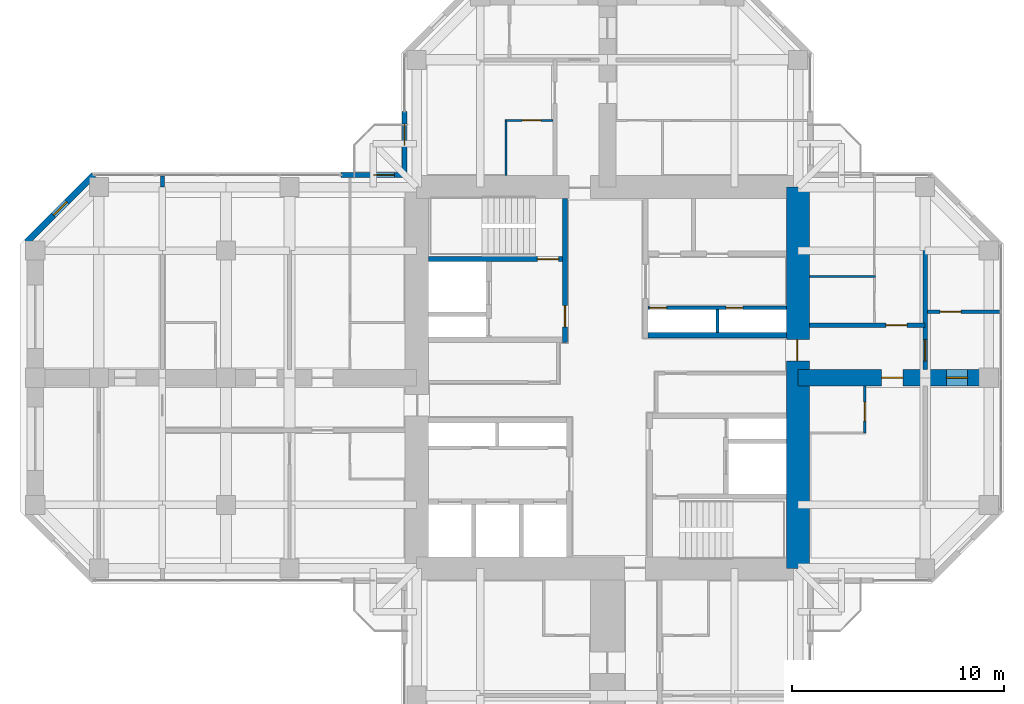
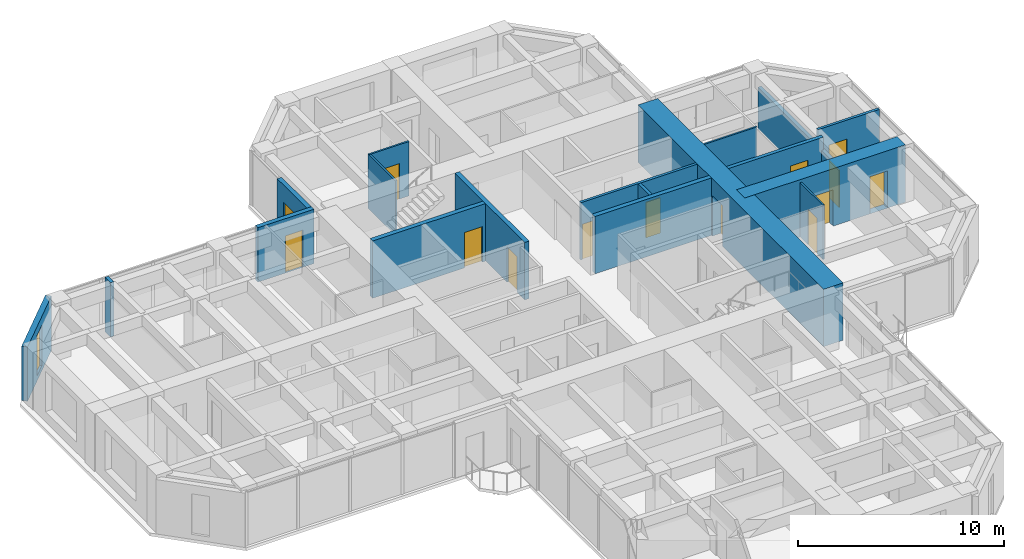
# One storey, part 11 of 14: 18 walls, 14 doors, 1 window, 15 openings.
"""IFC4 building model written with IfcOpenShell, lengths in metres."""

import ifcopenshell
import ifcopenshell.guid

model = None  # the IFC model being written
_history = None  # IfcOwnerHistory: only IFC2X3 demands one
_inside = {}  # id of a spatial element -> (the spatial element, [elements in it])
_under = {}  # id of a project, library or spatial element -> (it, [spatial elements below it])
_declared = {}  # id of a project -> (the project, [libraries it declares])
_typed = {}  # id of a type object -> (the type object, [elements of that type])
_made_of = {}  # id of a material, layer set ... -> (it, [elements and type objects made of it])


def new_model(schema):
    """Start an empty IFC model of exactly this schema.

    Asked for "IFC4X3", IfcOpenShell would pick the latest addendum, in which some entities
    have other attributes; the version numbers below select the first issue.
    IFC2X3 requires an IfcOwnerHistory on every rooted entity: one is made here for all.
    """
    global model, _history
    if schema == "IFC4X3":
        model = ifcopenshell.file(schema_version=(4, 3, 0, 0))
    else:
        model = ifcopenshell.file(schema=schema)
    _inside.clear()
    _under.clear()
    _declared.clear()
    _typed.clear()
    _made_of.clear()
    _history = None
    if model.schema == "IFC2X3":
        org = make("IfcOrganization", Name="unknown")
        user = make(
            "IfcPersonAndOrganization",
            ThePerson=make("IfcPerson", FamilyName="unknown"),
            TheOrganization=org,
        )
        app = make(
            "IfcApplication",
            ApplicationDeveloper=org,
            Version="unknown",
            ApplicationFullName="unknown",
            ApplicationIdentifier="unknown",
        )
        _history = make(
            "IfcOwnerHistory",
            OwningUser=user,
            OwningApplication=app,
            ChangeAction="ADDED",
            CreationDate=0,
        )
    return model


def make(cls, **values):
    """One entity of the class cls with the attributes given. An attribute that is None is left unset."""
    return model.create_entity(
        cls, **{name: value for name, value in values.items() if value is not None}
    )


def rooted(cls, **values):
    """An entity with a GlobalId (a new one), such as an element, a storey or a relation."""
    return make(cls, GlobalId=ifcopenshell.guid.new(), OwnerHistory=_history, **values)


def si_unit(unit_type, name, prefix=None):
    """IfcSIUnit, for example si_unit("LENGTHUNIT", "METRE", prefix="MILLI")."""
    return make("IfcSIUnit", UnitType=unit_type, Prefix=prefix, Name=name)


def assignment(units):
    """IfcUnitAssignment: the units of a project."""
    return None if units is None else make("IfcUnitAssignment", Units=units)


def point(xyz):
    """IfcCartesianPoint."""
    return None if xyz is None else make("IfcCartesianPoint", Coordinates=xyz)


def direction(xyz):
    """IfcDirection."""
    return None if xyz is None else make("IfcDirection", DirectionRatios=xyz)


def frame(location, z_axis=None, x_axis=None):
    """IfcAxis2Placement3D, a coordinate frame: its origin and axes. An axis left out is left unset."""
    return make(
        "IfcAxis2Placement3D",
        Location=point(location),
        Axis=direction(z_axis),
        RefDirection=direction(x_axis),
    )


def frame_2d(location, x_axis=None):
    """IfcAxis2Placement2D, a coordinate frame in the plane: its origin and x axis."""
    return make(
        "IfcAxis2Placement2D", Location=point(location), RefDirection=direction(x_axis)
    )


def origin():
    """The frame at (0, 0, 0) with its axes left unset."""
    return frame((0.0, 0.0, 0.0))


def place(relative_to, where):
    """IfcLocalPlacement: puts the frame where relative to a parent placement (None: the world)."""
    return make(
        "IfcLocalPlacement", PlacementRelTo=relative_to, RelativePlacement=where
    )


def context(
    kind, dimensions, precision=None, world=None, true_north=None, identifier=None
):
    """IfcGeometricRepresentationContext, for example the 3D "Model" context."""
    return make(
        "IfcGeometricRepresentationContext",
        ContextIdentifier=identifier,
        ContextType=kind,
        CoordinateSpaceDimension=dimensions,
        Precision=precision,
        WorldCoordinateSystem=world,
        TrueNorth=true_north,
    )


def subcontext(parent, identifier, kind, view, scale=None):
    """IfcGeometricRepresentationSubContext, for example "Body" below "Model"."""
    return make(
        "IfcGeometricRepresentationSubContext",
        ContextIdentifier=identifier,
        ContextType=kind,
        ParentContext=parent,
        TargetScale=scale,
        TargetView=view,
    )


def project(units=None, contexts=None):
    """IfcProject with its units and contexts."""
    return rooted(
        "IfcProject",
        Name="project",
        RepresentationContexts=contexts,
        UnitsInContext=assignment(units),
    )


def spatial(cls, under=None, at=None, **own):
    """A site, building, storey or space (cls), placed at a placement, below another one or the project."""
    s = rooted(cls, ObjectPlacement=at, **own)
    if under is not None:
        _under.setdefault(under.id(), (under, []))[1].append(s)
    return s


def profile(cls, at=None, kind="AREA", **sizes):
    """A parametric profile (cls). Its sizes go by their IFC names, for example OverallWidth=200.0."""
    return make(cls, ProfileType=kind, Position=at, **sizes)


def rectangle(**sizes):
    """IfcRectangleProfileDef."""
    return profile("IfcRectangleProfileDef", **sizes)


def hollow_rectangle(**sizes):
    """IfcRectangleHollowProfileDef."""
    return profile("IfcRectangleHollowProfileDef", **sizes)


def extrude(swept, where, along, depth):
    """IfcExtrudedAreaSolid: the profile swept, set in the frame where, extruded along a direction by depth."""
    return make(
        "IfcExtrudedAreaSolid",
        SweptArea=swept,
        Position=where,
        ExtrudedDirection=direction(along),
        Depth=depth,
    )


def shape(context_of_items, identifier, shape_type, items):
    """IfcShapeRepresentation: the items that make up one representation, for example the "Body"."""
    return make(
        "IfcShapeRepresentation",
        ContextOfItems=context_of_items,
        RepresentationIdentifier=identifier,
        RepresentationType=shape_type,
        Items=items,
    )


def material(Name=None, Category=None):
    """IfcMaterial."""
    return make("IfcMaterial", Name=Name, Category=Category)


def layer(
    of_material, thickness, ventilated=None, Name=None, Category=None, Priority=None
):
    """IfcMaterialLayer: one layer of a wall or slab, of a material (None: an air gap)."""
    return make(
        "IfcMaterialLayer",
        Material=of_material,
        LayerThickness=thickness,
        IsVentilated=ventilated,
        Name=Name,
        Category=Category,
        Priority=Priority,
    )


def layer_set(layers, Name=None):
    """IfcMaterialLayerSet."""
    return make("IfcMaterialLayerSet", MaterialLayers=layers, LayerSetName=Name)


def constituent(of_material, Name=None, Category=None, fraction=None):
    """IfcMaterialConstituent: one of the materials an element consists of."""
    return make(
        "IfcMaterialConstituent",
        Name=Name,
        Material=of_material,
        Fraction=fraction,
        Category=Category,
    )


def constituent_set(constituents=None, Name=None):
    """IfcMaterialConstituentSet."""
    return make(
        "IfcMaterialConstituentSet", Name=Name, MaterialConstituents=constituents
    )


def made_of(thing, what):
    """Note that an element or type object is made of a material, layer set ...; save() writes the relation."""
    if what is not None:
        _made_of.setdefault(what.id(), (what, []))[1].append(thing)
    return thing


def type_object(cls, material=None, **own):
    """A type object (cls), such as IfcWallType, which elements share."""
    return made_of(rooted(cls, **own), material)


def element(
    cls,
    number,
    at=None,
    inside=None,
    cuts=None,
    type_object=None,
    material=None,
    context=None,
    identifier="Body",
    shape_type=None,
    held_by="IfcProductDefinitionShape",
    body=None,
    shapes=None,
    **own,
):
    """One element of the class cls, such as IfcWall. Its Tag is "e" and its number.

    at: its placement. inside: the storey or other place that contains it. cuts: it is an
    opening in that element (IfcRelVoidsElement). A single representation is given by context,
    identifier, shape_type and body (its items); several are given by shapes. held_by: the class
    of the entity that holds the representations. save() writes the other relations.
    """
    e = rooted(cls, Tag="e%d" % number, ObjectPlacement=at, **own)
    if body is not None:
        shapes = [shape(context, identifier, shape_type, body)]
    if shapes is not None:
        e.Representation = make(held_by, Representations=shapes)
    if inside is not None:
        _inside.setdefault(inside.id(), (inside, []))[1].append(e)
    if cuts is not None:
        rooted(
            "IfcRelVoidsElement", RelatingBuildingElement=cuts, RelatedOpeningElement=e
        )
    if type_object is not None:
        _typed.setdefault(type_object.id(), (type_object, []))[1].append(e)
    return made_of(e, material)


def fill(opening, filler):
    """IfcRelFillsElement: the door or window that sits in an opening."""
    return rooted(
        "IfcRelFillsElement",
        RelatingOpeningElement=opening,
        RelatedBuildingElement=filler,
    )


def aggregate(whole, parts):
    """IfcRelAggregates: a whole, such as a stair, and the parts it consists of."""
    return rooted("IfcRelAggregates", RelatingObject=whole, RelatedObjects=parts)


def save(model, path):
    """Write the relations noted so far, then the file.

    IfcRelAggregates (storeys below a building ...), IfcRelContainedInSpatialStructure (elements
    in a storey), IfcRelDefinesByType, IfcRelAssociatesMaterial and IfcRelDeclares: one each for
    every whole, place, type object, material and project.
    """
    for whole, parts in _under.values():
        aggregate(whole, parts)
    for where, things in _inside.values():
        rooted(
            "IfcRelContainedInSpatialStructure",
            RelatedElements=things,
            RelatingStructure=where,
        )
    for kind, things in _typed.values():
        rooted("IfcRelDefinesByType", RelatedObjects=things, RelatingType=kind)
    for what, things in _made_of.values():
        rooted("IfcRelAssociatesMaterial", RelatedObjects=things, RelatingMaterial=what)
    for by, libraries in _declared.values():
        rooted("IfcRelDeclares", RelatingContext=by, RelatedDefinitions=libraries)
    model.write(path)


model = new_model("IFC4")

# Units and contexts
model_context = context("Model", 3, precision=1e-05, world=origin(), true_north=direction((0.0, 1.0)))
body_context = subcontext(model_context, "Body", "Model", "MODEL_VIEW")
ifc_project = project(units=[si_unit("LENGTHUNIT", "METRE"), si_unit("AREAUNIT", "SQUARE_METRE"), si_unit("VOLUMEUNIT", "CUBIC_METRE"), si_unit("PLANEANGLEUNIT", "RADIAN"), si_unit("MASSUNIT", "GRAM", prefix="KILO")], contexts=[model_context])

# Site, building, storey
site_placement = place(None, origin())
site = spatial("IfcSite", under=ifc_project, at=site_placement, CompositionType="ELEMENT")
building_placement = place(site_placement, origin())
building = spatial("IfcBuilding", under=site, at=building_placement, Name="Torre Cruceta", CompositionType="ELEMENT")
storey_placement = place(building_placement, frame((0.0, 0.0, 200.10009765625)))
storey = spatial("IfcBuildingStorey", under=building, at=storey_placement, Name="L50", CompositionType="ELEMENT", Elevation=200.10009765625)

# Wall
ifc_material_1 = material(Name="Water-resistant plasterboard on steel studs", Category="steel")
ifc_layer_1 = layer(ifc_material_1, 0.10009765625)
ifc_layer_set_1 = layer_set([ifc_layer_1], Name="Water-resistant plasterboard on steel studs")
wall_type_1 = type_object("IfcWallType", Name="BATHROOM WALL 100", PredefinedType="PARTITIONING", material=ifc_layer_set_1)
wall_1_placement = place(storey_placement, frame((-4.77490234375, 9.550048828125, 0.0), z_axis=(0.0, 0.0, 1.0), x_axis=(0.0, 1.0, 0.0)))
element("IfcWall", 1, at=wall_1_placement, inside=storey, type_object=wall_type_1, Name="PT4 L50-N-U1LBB", PredefinedType="PARTITIONING", context=body_context, shape_type="SweptSolid", body=[
    extrude(rectangle(XDim=2.64990234375, YDim=0.10009765625, at=frame_2d((1.324951171875, 0.0))), origin(), (0.0, 0.0, 1.0), 3.219970703125),
])

# Wall, opening, door
wall_2_placement = place(storey_placement, frame((-2.574951171875, 12.14990234375, 0.0), z_axis=(0.0, 0.0, 1.0), x_axis=(-1.0, 0.0, 0.0)))
wall_2 = element("IfcWall", 2, at=wall_2_placement, inside=storey, type_object=wall_type_1, Name="PT4 L50-N-U1LBS", PredefinedType="PARTITIONING", context=body_context, shape_type="SweptSolid", body=[
    extrude(rectangle(XDim=2.199951171875, YDim=0.10009765625, at=frame_2d((1.10009765625, 0.0))), origin(), (0.0, 0.0, 1.0), 3.219970703125),
])
opening_1_placement = place(wall_2_placement, frame((0.550048828125, 0.0, 0.0)))
opening_1 = element("IfcOpeningElement", 3, at=opening_1_placement, cuts=wall_2, Name="Opening D7", PredefinedType="OPENING", context=body_context, shape_type="SweptSolid", body=[
    extrude(rectangle(XDim=0.89990234375, YDim=2.10009765625, at=frame_2d((0.449951171875, 1.050048828125))), frame((0.0, 0.06005859375, 0.0), z_axis=(0.0, -1.0, 0.0), x_axis=(1.0, 0.0, 0.0)), (0.0, 0.0, 1.0), 0.1201171875),
])
ifc_material_2 = material(Name="Timber door", Category="wood")
door_type_1 = type_object("IfcDoorType", Name="BATHROOM DOOR 900X2100", OperationType="SINGLE_SWING_LEFT", PredefinedType="DOOR", material=ifc_material_2)
door_1_placement = place(opening_1_placement, origin())
door_1 = element("IfcDoor", 4, at=door_1_placement, inside=storey, type_object=door_type_1, Name="D7 L50-N-U1LBS-D1", OperationType="SINGLE_SWING_LEFT", OverallHeight=2.10009765625, OverallWidth=0.89990234375, PredefinedType="DOOR", context=body_context, shape_type="SweptSolid", body=[
    extrude(rectangle(XDim=0.89990234375, YDim=2.10009765625, at=frame_2d((0.449951171875, 1.050048828125))), frame((0.0, 0.02490234375, 0.0), z_axis=(0.0, -1.0, 0.0), x_axis=(1.0, 0.0, 0.0)), (0.0, 0.0, 1.0), 0.050048828125),
])
fill(opening_1, door_1)

# Wall
wall_3_placement = place(storey_placement, frame((9.550048828125, 4.77490234375, 0.0), z_axis=(0.0, 0.0, 1.0), x_axis=(1.0, 0.0, 0.0)))
element("IfcWall", 5, at=wall_3_placement, inside=storey, type_object=wall_type_1, Name="PT4 L50-E-U1LBB", PredefinedType="PARTITIONING", context=body_context, shape_type="SweptSolid", body=[
    extrude(rectangle(XDim=3.099853515625, YDim=0.10009765625, at=frame_2d((1.5498046875, 0.0))), origin(), (0.0, 0.0, 1.0), 3.219970703125),
])

# Wall, opening, door
wall_4_placement = place(storey_placement, frame((12.14990234375, -2.60009765625, 0.0), z_axis=(0.0, 0.0, 1.0), x_axis=(0.0, 1.0, 0.0)))
wall_4 = element("IfcWall", 6, at=wall_4_placement, inside=storey, type_object=wall_type_1, Name="PT4 L50-E-U1RBS", PredefinedType="PARTITIONING", context=body_context, shape_type="SweptSolid", body=[
    extrude(rectangle(XDim=2.2001953125, YDim=0.10009765625, at=frame_2d((1.10009765625, 0.0))), origin(), (0.0, 0.0, 1.0), 3.219970703125),
])
opening_2_placement = place(wall_4_placement, frame((0.550048828125, 0.0, 0.0)))
opening_2 = element("IfcOpeningElement", 7, at=opening_2_placement, cuts=wall_4, Name="Opening D7", PredefinedType="OPENING", context=body_context, shape_type="SweptSolid", body=[
    extrude(rectangle(XDim=0.89990234375, YDim=2.10009765625, at=frame_2d((0.449951171875, 1.050048828125))), frame((0.0, 0.06005859375, 0.0), z_axis=(0.0, -1.0, 0.0), x_axis=(1.0, 0.0, 0.0)), (0.0, 0.0, 1.0), 0.1201171875),
])
door_2_placement = place(opening_2_placement, origin())
door_2 = element("IfcDoor", 8, at=door_2_placement, inside=storey, type_object=door_type_1, Name="D7 L50-E-U1RBS-D1", OperationType="SINGLE_SWING_LEFT", OverallHeight=2.10009765625, OverallWidth=0.89990234375, PredefinedType="DOOR", context=body_context, shape_type="SweptSolid", body=[
    extrude(rectangle(XDim=0.89990234375, YDim=2.10009765625, at=frame_2d((0.449951171875, 1.050048828125))), frame((0.0, 0.02490234375, 0.0), z_axis=(0.0, -1.0, 0.0), x_axis=(1.0, 0.0, 0.0)), (0.0, 0.0, 1.0), 0.050048828125),
])
fill(opening_2, door_2)

# Wall
ifc_material_3 = material(Name="Concrete G60 (fck 60 MPa)", Category="concrete")
ifc_layer_2 = layer(ifc_material_3, 0.25)
ifc_layer_set_2 = layer_set([ifc_layer_2], Name="Concrete G60 (fck 60 MPa)")
wall_type_2 = type_object("IfcWallType", Name="CORE INNER WALL 250 G60", PredefinedType="SHEAR", material=ifc_layer_set_2)
wall_5_placement = place(storey_placement, frame((1.925048828125, 2.0, 0.0), z_axis=(0.0, 0.0, 1.0), x_axis=(1.0, 0.0, 0.0)))
element("IfcWall", 9, at=wall_5_placement, inside=storey, type_object=wall_type_2, Name="CW4 L50 NE-CV", PredefinedType="SHEAR", context=body_context, shape_type="SweptSolid", body=[
    extrude(rectangle(XDim=6.52490234375, YDim=0.25, at=frame_2d((3.262451171875, 0.0))), origin(), (0.0, 0.0, 1.0), 3.39990234375),
])

# Wall, opening, door
wall_6_placement = place(storey_placement, frame((-2.0, 1.675048828125, 0.0), z_axis=(0.0, 0.0, 1.0), x_axis=(0.0, 1.0, 0.0)))
wall_6 = element("IfcWall", 10, at=wall_6_placement, inside=storey, type_object=wall_type_2, Name="CW4 L50 NW-CU", PredefinedType="SHEAR", context=body_context, shape_type="SweptSolid", body=[
    extrude(rectangle(XDim=6.77490234375, YDim=0.25, at=frame_2d((3.387451171875, 0.0))), origin(), (0.0, 0.0, 1.0), 3.39990234375),
])
opening_3_placement = place(wall_6_placement, frame((0.72509765625, 0.0, 0.0)))
opening_3 = element("IfcOpeningElement", 11, at=opening_3_placement, cuts=wall_6, Name="Opening D3", PredefinedType="OPENING", context=body_context, shape_type="SweptSolid", body=[
    extrude(rectangle(XDim=1.0, YDim=2.10009765625, at=frame_2d((0.5, 1.050048828125))), frame((0.0, 0.135009765625, 0.0), z_axis=(0.0, -1.0, 0.0), x_axis=(1.0, 0.0, 0.0)), (0.0, 0.0, 1.0), 0.27001953125),
])
ifc_material_4 = material(Name="Steel DX51D", Category="steel")
ifc_constituent_1 = constituent(ifc_material_4, Name="Leaf and frame")
ifc_material_5 = material(Name="Polyester powder coating", Category="paint")
ifc_constituent_2 = constituent(ifc_material_5, Name="Finish")
ifc_constituent_set_1 = constituent_set(constituents=[ifc_constituent_1, ifc_constituent_2], Name="Steel fire door")
door_type_2 = type_object("IfcDoorType", Name="FIRE DOOR 1000X2100", OperationType="SINGLE_SWING_LEFT", PredefinedType="DOOR", material=ifc_constituent_set_1)
door_3_placement = place(opening_3_placement, origin())
door_3 = element("IfcDoor", 12, at=door_3_placement, inside=storey, type_object=door_type_2, Name="D3 L50 NW-LOBBY", OperationType="SINGLE_SWING_LEFT", OverallHeight=2.10009765625, OverallWidth=1.0, PredefinedType="DOOR", context=body_context, shape_type="SweptSolid", body=[
    extrude(rectangle(XDim=1.0, YDim=2.10009765625, at=frame_2d((0.5, 1.050048828125))), frame((0.0, 0.02490234375, 0.0), z_axis=(0.0, -1.0, 0.0), x_axis=(1.0, 0.0, 0.0)), (0.0, 0.0, 1.0), 0.050048828125),
])
fill(opening_3, door_3)

wall_7_placement = place(storey_placement, frame((-2.125, 5.60009765625, 0.0), z_axis=(0.0, 0.0, 1.0), x_axis=(-1.0, 0.0, 0.0)))
wall_7 = element("IfcWall", 13, at=wall_7_placement, inside=storey, type_object=wall_type_2, Name="CW4 L50 NW-SV", PredefinedType="SHEAR", context=body_context, shape_type="SweptSolid", body=[
    extrude(rectangle(XDim=6.324951171875, YDim=0.25, at=frame_2d((3.16259765625, 0.0))), origin(), (0.0, 0.0, 1.0), 3.39990234375),
])
opening_4_placement = place(wall_7_placement, frame((0.175048828125, 0.0, 0.0)))
opening_4 = element("IfcOpeningElement", 14, at=opening_4_placement, cuts=wall_7, Name="Opening D3", PredefinedType="OPENING", context=body_context, shape_type="SweptSolid", body=[
    extrude(rectangle(XDim=1.0, YDim=2.10009765625, at=frame_2d((0.5, 1.050048828125))), frame((0.0, 0.135009765625, 0.0), z_axis=(0.0, -1.0, 0.0), x_axis=(1.0, 0.0, 0.0)), (0.0, 0.0, 1.0), 0.27001953125),
])
door_4_placement = place(opening_4_placement, frame((1.0, 0.0, 0.0), z_axis=(0.0, 0.0, 1.0), x_axis=(-1.0, 0.0, 0.0)))
door_4 = element("IfcDoor", 15, at=door_4_placement, inside=storey, type_object=door_type_2, Name="D3 L50 NW-STAIR", OperationType="SINGLE_SWING_RIGHT", OverallHeight=2.10009765625, OverallWidth=1.0, PredefinedType="DOOR", context=body_context, shape_type="SweptSolid", body=[
    extrude(rectangle(XDim=1.0, YDim=2.10009765625, at=frame_2d((0.5, 1.050048828125))), frame((0.0, 0.025146484375, 0.0), z_axis=(0.0, -1.0, 0.0), x_axis=(1.0, 0.0, 0.0)), (0.0, 0.0, 1.0), 0.050048828125),
])
fill(opening_4, door_4)

ifc_material_6 = material(Name="Concrete G60 (fck 60 MPa)", Category="concrete")
ifc_layer_3 = layer(ifc_material_6, 1.10009765625)
ifc_layer_set_3 = layer_set([ifc_layer_3], Name="Concrete G60 (fck 60 MPa)")
wall_type_3 = type_object("IfcWallType", Name="CORE WALL 1100 G60", PredefinedType="SHEAR", material=ifc_layer_set_3)
wall_8_placement = place(storey_placement, frame((9.0, -9.0, 0.0), z_axis=(0.0, 0.0, 1.0), x_axis=(0.0, 1.0, 0.0)))
wall_8 = element("IfcWall", 16, at=wall_8_placement, inside=storey, type_object=wall_type_3, Name="CW2 L50 CW-E", PredefinedType="SHEAR", context=body_context, shape_type="SweptSolid", body=[
    extrude(rectangle(XDim=18.0, YDim=1.10009765625, at=frame_2d((9.0, 0.0))), origin(), (0.0, 0.0, 1.0), 3.39990234375),
])
opening_5_placement = place(wall_8_placement, frame((9.800048828125, 0.0, 0.0)))
opening_5 = element("IfcOpeningElement", 17, at=opening_5_placement, cuts=wall_8, Name="Opening D4", PredefinedType="OPENING", context=body_context, shape_type="SweptSolid", body=[
    extrude(rectangle(XDim=1.0, YDim=2.39990234375, at=frame_2d((0.5, 1.199951171875))), frame((0.0, 0.56005859375, 0.0), z_axis=(0.0, -1.0, 0.0), x_axis=(1.0, 0.0, 0.0)), (0.0, 0.0, 1.0), 1.1201171875),
])
ifc_material_7 = material(Name="Steel DX51D", Category="steel")
ifc_constituent_3 = constituent(ifc_material_7, Name="Leaf and frame")
ifc_material_8 = material(Name="Polyester powder coating", Category="paint")
ifc_constituent_4 = constituent(ifc_material_8, Name="Finish")
ifc_constituent_set_2 = constituent_set(constituents=[ifc_constituent_3, ifc_constituent_4], Name="Steel fire door")
door_type_3 = type_object("IfcDoorType", Name="CORE ARM DOOR 1000X2400", OperationType="SINGLE_SWING_RIGHT", PredefinedType="DOOR", material=ifc_constituent_set_2)
door_5_placement = place(opening_5_placement, origin())
door_5 = element("IfcDoor", 18, at=door_5_placement, inside=storey, type_object=door_type_3, Name="D4 L50 CW-E", OperationType="SINGLE_SWING_RIGHT", OverallHeight=2.39990234375, OverallWidth=1.0, PredefinedType="DOOR", context=body_context, shape_type="SweptSolid", body=[
    extrude(rectangle(XDim=1.0, YDim=2.39990234375, at=frame_2d((0.5, 1.199951171875))), frame((0.0, 0.05517578125, 0.0), z_axis=(0.0, -1.0, 0.0), x_axis=(1.0, 0.0, 0.0)), (0.0, 0.0, 1.0), 0.050048828125),
])
fill(opening_5, door_5)

ifc_material_9 = material(Name="Concrete G25 (fck 25 MPa)", Category="concrete")
ifc_layer_4 = layer(ifc_material_9, 0.199951171875)
ifc_layer_set_4 = layer_set([ifc_layer_4], Name="Concrete G25 (fck 25 MPa)")
wall_type_4 = type_object("IfcWallType", Name="CORRIDOR WALL 200", PredefinedType="SOLIDWALL", material=ifc_layer_set_4)
wall_9_placement = place(storey_placement, frame((9.550048828125, 2.47509765625, 0.0), z_axis=(0.0, 0.0, 1.0), x_axis=(1.0, 0.0, 0.0)))
wall_9 = element("IfcWall", 19, at=wall_9_placement, inside=storey, type_object=wall_type_4, Name="PT3 L50-E-CL", PredefinedType="SOLIDWALL", context=body_context, shape_type="SweptSolid", body=[
    extrude(rectangle(XDim=5.449951171875, YDim=0.199951171875, at=frame_2d((2.72509765625, 0.0))), origin(), (0.0, 0.0, 1.0), 3.219970703125),
])
opening_6_placement = place(wall_9_placement, frame((3.60009765625, 0.0, 0.0)))
opening_6 = element("IfcOpeningElement", 20, at=opening_6_placement, cuts=wall_9, Name="Opening D6", PredefinedType="OPENING", context=body_context, shape_type="SweptSolid", body=[
    extrude(rectangle(XDim=1.0, YDim=2.14990234375, at=frame_2d((0.5, 1.074951171875))), frame((0.0, 0.10986328125, 0.0), z_axis=(0.0, -1.0, 0.0), x_axis=(1.0, 0.0, 0.0)), (0.0, 0.0, 1.0), 0.219970703125),
])
ifc_material_10 = material(Name="Timber fire door", Category="wood")
door_type_4 = type_object("IfcDoorType", Name="UNIT ENTRANCE DOOR 1000X2150", OperationType="SINGLE_SWING_LEFT", PredefinedType="DOOR", material=ifc_material_10)
door_6_placement = place(opening_6_placement, origin())
door_6 = element("IfcDoor", 21, at=door_6_placement, inside=storey, type_object=door_type_4, Name="D6 L50-E-CL-D1", OperationType="SINGLE_SWING_LEFT", OverallHeight=2.14990234375, OverallWidth=1.0, PredefinedType="DOOR", context=body_context, shape_type="SweptSolid", body=[
    extrude(rectangle(XDim=1.0, YDim=2.14990234375, at=frame_2d((0.5, 1.074951171875))), frame((0.0, 0.02490234375, 0.0), z_axis=(0.0, -1.0, 0.0), x_axis=(1.0, 0.0, 0.0)), (0.0, 0.0, 1.0), 0.050048828125),
])
fill(opening_6, door_6)

# Wall, opening, window
ifc_material_11 = material(Name="Concrete G30 (fck 30 MPa)", Category="concrete")
ifc_layer_5 = layer(ifc_material_11, 0.300048828125)
ifc_layer_set_5 = layer_set([ifc_layer_5], Name="Concrete G30 (fck 30 MPa)")
wall_type_5 = type_object("IfcWallType", Name="EXPOSED CONCRETE FACADE WALL 300", PredefinedType="SOLIDWALL", material=ifc_layer_set_5)
wall_10_placement = place(storey_placement, frame((-24.236083984375, 9.570068359375, 0.0), z_axis=(0.0, 0.0, 1.0), x_axis=(-0.707079499254, -0.707134062067, 0.0)))
wall_10 = element("IfcWall", 22, at=wall_10_placement, inside=storey, type_object=wall_type_5, Name="EW1 facade wall L50 W chamfer 11", PredefinedType="SOLIDWALL", context=body_context, shape_type="SweptSolid", body=[
    extrude(rectangle(XDim=4.474609375, YDim=0.300048828125, at=frame_2d((2.2373046875, 0.0))), origin(), (0.0, 0.0, 1.0), 3.219970703125),
])
opening_7_placement = place(wall_10_placement, frame((1.787109375, 0.0, 0.300048828125)))
opening_7 = element("IfcOpeningElement", 23, at=opening_7_placement, cuts=wall_10, Name="Opening WN5", PredefinedType="OPENING", context=body_context, shape_type="SweptSolid", body=[
    extrude(rectangle(XDim=0.89990234375, YDim=2.39990234375, at=frame_2d((0.449951171875, 1.199951171875))), frame((0.0, 0.159912109375, 0.0), z_axis=(0.0, -1.0, 0.0), x_axis=(1.0, 0.0, 0.0)), (0.0, 0.0, 1.0), 0.320068359375),
])
ifc_material_12 = material(Name="Aluminium window frame", Category="aluminium")
ifc_constituent_5 = constituent(ifc_material_12, Name="Frame")
ifc_material_13 = material(Name="Laminated insulating glass unit, low-iron clear", Category="glass")
ifc_constituent_6 = constituent(ifc_material_13, Name="Glazing")
ifc_constituent_set_3 = constituent_set(constituents=[ifc_constituent_5, ifc_constituent_6], Name="Aluminium window")
window_type = type_object("IfcWindowType", Name="CHAMFER SLOT WINDOW 900X2400", PartitioningType="SINGLE_PANEL", PredefinedType="WINDOW", material=ifc_constituent_set_3)
window_placement = place(opening_7_placement, origin())
window = element("IfcWindow", 24, at=window_placement, inside=storey, type_object=window_type, Name="WN5 L50 W 1", OverallHeight=2.39990234375, OverallWidth=0.89990234375, PartitioningType="SINGLE_PANEL", PredefinedType="WINDOW", context=body_context, shape_type="SweptSolid", body=[
    extrude(hollow_rectangle(XDim=0.89990234375, YDim=2.39990234375, WallThickness=0.06005859375, at=frame_2d((0.449951171875, 1.199951171875))), frame((0.0, 0.030029296875, 0.0), z_axis=(0.0, -1.0, 0.0), x_axis=(1.0, 0.0, 0.0)), (0.0, 0.0, 1.0), 0.06005859375),
    extrude(rectangle(XDim=0.77880859375, YDim=2.27880859375, at=frame_2d((0.449951171875, 1.199951171875))), frame((0.0, 0.030029296875, 0.0), z_axis=(0.0, -1.0, 0.0), x_axis=(1.0, 0.0, 0.0)), (0.0, 0.0, 1.0), 0.06005859375),
])
fill(opening_7, window)

# Wall, opening, door
ifc_material_14 = material(Name="Plasterboard on steel studs", Category="steel")
ifc_layer_6 = layer(ifc_material_14, 0.14990234375)
ifc_layer_set_6 = layer_set([ifc_layer_6], Name="Plasterboard on steel studs")
wall_type_6 = type_object("IfcWallType", Name="PARTITION 150", PredefinedType="PARTITIONING", material=ifc_layer_set_6)
wall_11_placement = place(storey_placement, frame((15.10009765625, 3.117919921875, 0.0), z_axis=(0.0, 0.0, 1.0), x_axis=(1.0, 0.0, 0.0)))
wall_11 = element("IfcWall", 25, at=wall_11_placement, inside=storey, type_object=wall_type_6, Name="PT1 L50-E-ENDX", PredefinedType="PARTITIONING", context=body_context, shape_type="SweptSolid", body=[
    extrude(rectangle(XDim=3.429931640625, YDim=0.14990234375, at=frame_2d((1.71484375, 0.0))), origin(), (0.0, 0.0, 1.0), 3.219970703125),
])
opening_8_placement = place(wall_11_placement, frame((0.60009765625, 0.0, 0.0)))
opening_8 = element("IfcOpeningElement", 26, at=opening_8_placement, cuts=wall_11, Name="Opening D3", PredefinedType="OPENING", context=body_context, shape_type="SweptSolid", body=[
    extrude(rectangle(XDim=1.0, YDim=2.10009765625, at=frame_2d((0.5, 1.050048828125))), frame((0.0, 0.0849609375, 0.0), z_axis=(0.0, -1.0, 0.0), x_axis=(1.0, 0.0, 0.0)), (0.0, 0.0, 1.0), 0.169921875),
])
door_7_placement = place(opening_8_placement, frame((1.0, 0.0, 0.0), z_axis=(0.0, 0.0, 1.0), x_axis=(-1.0, 0.0, 0.0)))
door_7 = element("IfcDoor", 27, at=door_7_placement, inside=storey, type_object=door_type_2, Name="D3 L50-E-ENDX-D1", OperationType="SINGLE_SWING_RIGHT", OverallHeight=2.10009765625, OverallWidth=1.0, PredefinedType="DOOR", context=body_context, shape_type="SweptSolid", body=[
    extrude(rectangle(XDim=1.0, YDim=2.10009765625, at=frame_2d((0.5, 1.050048828125))), frame((0.0, 0.025146484375, 0.0), z_axis=(0.0, -1.0, 0.0), x_axis=(1.0, 0.0, 0.0)), (0.0, 0.0, 1.0), 0.050048828125),
])
fill(opening_8, door_7)

# Wall, openings, doors
ifc_material_15 = material(Name="Concrete block masonry", Category="masonry")
ifc_layer_7 = layer(ifc_material_15, 0.14990234375)
ifc_layer_set_7 = layer_set([ifc_layer_7], Name="Concrete block masonry")
wall_type_7 = type_object("IfcWallType", Name="RISER WALL 150", PredefinedType="PARTITIONING", material=ifc_layer_set_7)
wall_12_placement = place(storey_placement, frame((1.925048828125, 3.300048828125, 0.0), z_axis=(0.0, 0.0, 1.0), x_axis=(1.0, 0.0, 0.0)))
wall_12 = element("IfcWall", 28, at=wall_12_placement, inside=storey, type_object=wall_type_7, Name="SW7 L50 NE-RV", PredefinedType="PARTITIONING", context=body_context, shape_type="SweptSolid", body=[
    extrude(rectangle(XDim=6.52490234375, YDim=0.14990234375, at=frame_2d((3.262451171875, 0.0))), origin(), (0.0, 0.0, 1.0), 3.39990234375),
])
opening_9_placement = place(wall_12_placement, frame((0.074951171875, 0.0, 0.0)))
opening_9 = element("IfcOpeningElement", 29, at=opening_9_placement, cuts=wall_12, Name="Opening D5", PredefinedType="OPENING", context=body_context, shape_type="SweptSolid", body=[
    extrude(rectangle(XDim=0.800048828125, YDim=2.10009765625, at=frame_2d((0.39990234375, 1.050048828125))), frame((0.0, 0.0849609375, 0.0), z_axis=(0.0, -1.0, 0.0), x_axis=(1.0, 0.0, 0.0)), (0.0, 0.0, 1.0), 0.169921875),
])
opening_10_placement = place(wall_12_placement, frame((3.675048828125, 0.0, 0.0)))
opening_10 = element("IfcOpeningElement", 30, at=opening_10_placement, cuts=wall_12, Name="Opening D5", PredefinedType="OPENING", context=body_context, shape_type="SweptSolid", body=[
    extrude(rectangle(XDim=0.800048828125, YDim=2.10009765625, at=frame_2d((0.39990234375, 1.050048828125))), frame((0.0, 0.0849609375, 0.0), z_axis=(0.0, -1.0, 0.0), x_axis=(1.0, 0.0, 0.0)), (0.0, 0.0, 1.0), 0.169921875),
])
ifc_material_16 = material(Name="Steel DX51D", Category="steel")
ifc_constituent_7 = constituent(ifc_material_16, Name="Leaf and frame")
ifc_material_17 = material(Name="Polyester powder coating", Category="paint")
ifc_constituent_8 = constituent(ifc_material_17, Name="Finish")
ifc_constituent_set_4 = constituent_set(constituents=[ifc_constituent_7, ifc_constituent_8], Name="Steel fire door")
door_type_5 = type_object("IfcDoorType", Name="RISER ACCESS DOOR 800X2100", OperationType="SINGLE_SWING_LEFT", PredefinedType="DOOR", material=ifc_constituent_set_4)
door_8_placement = place(opening_9_placement, frame((0.800048828125, 0.0, 0.0), z_axis=(0.0, 0.0, 1.0), x_axis=(-1.0, 0.0, 0.0)))
door_8 = element("IfcDoor", 31, at=door_8_placement, inside=storey, type_object=door_type_5, Name="D5 L50 NE-RISER1", OperationType="SINGLE_SWING_RIGHT", OverallHeight=2.10009765625, OverallWidth=0.800048828125, PredefinedType="DOOR", context=body_context, shape_type="SweptSolid", body=[
    extrude(rectangle(XDim=0.800048828125, YDim=2.10009765625, at=frame_2d((0.400146484375, 1.050048828125))), frame((0.0, 0.025146484375, 0.0), z_axis=(0.0, -1.0, 0.0), x_axis=(1.0, 0.0, 0.0)), (0.0, 0.0, 1.0), 0.050048828125),
])
fill(opening_9, door_8)
door_9_placement = place(opening_10_placement, frame((0.800048828125, 0.0, 0.0), z_axis=(0.0, 0.0, 1.0), x_axis=(-1.0, 0.0, 0.0)))
door_9 = element("IfcDoor", 32, at=door_9_placement, inside=storey, type_object=door_type_5, Name="D5 L50 NE-RISER2", OperationType="SINGLE_SWING_RIGHT", OverallHeight=2.10009765625, OverallWidth=0.800048828125, PredefinedType="DOOR", context=body_context, shape_type="SweptSolid", body=[
    extrude(rectangle(XDim=0.800048828125, YDim=2.10009765625, at=frame_2d((0.400146484375, 1.050048828125))), frame((0.0, 0.025146484375, 0.0), z_axis=(0.0, -1.0, 0.0), x_axis=(1.0, 0.0, 0.0)), (0.0, 0.0, 1.0), 0.050048828125),
])
fill(opening_10, door_9)

# Wall
wall_13_placement = place(storey_placement, frame((5.199951171875, 2.125, 0.0), z_axis=(0.0, 0.0, 1.0), x_axis=(0.0, 1.0, 0.0)))
element("IfcWall", 33, at=wall_13_placement, inside=storey, type_object=wall_type_7, Name="SW7 L50 NE-RU", PredefinedType="PARTITIONING", context=body_context, shape_type="SweptSolid", body=[
    extrude(rectangle(XDim=1.10009765625, YDim=0.14990234375, at=frame_2d((0.550048828125, 0.0))), origin(), (0.0, 0.0, 1.0), 3.39990234375),
])

# Wall, openings, doors
ifc_material_18 = material(Name="Concrete G60 (fck 60 MPa)", Category="concrete")
ifc_layer_8 = layer(ifc_material_18, 0.800048828125)
ifc_layer_set_8 = layer_set([ifc_layer_8], Name="Concrete G60 (fck 60 MPa)")
wall_type_8 = type_object("IfcWallType", Name="SPINE WALL 800 G60", PredefinedType="SHEAR", material=ifc_layer_set_8)
wall_14_placement = place(storey_placement, frame((9.0, 0.0, 0.0), z_axis=(0.0, 0.0, 1.0), x_axis=(1.0, 0.0, 0.0)))
wall_14 = element("IfcWall", 34, at=wall_14_placement, inside=storey, type_object=wall_type_8, Name="SW4 spine wall L50 E", PredefinedType="SHEAR", context=body_context, shape_type="SweptSolid", body=[
    extrude(rectangle(XDim=9.0, YDim=0.800048828125, at=frame_2d((4.5, 0.0))), origin(), (0.0, 0.0, 1.0), 3.39990234375),
])
opening_11_placement = place(wall_14_placement, frame((3.949951171875, 0.0, 0.0)))
opening_11 = element("IfcOpeningElement", 35, at=opening_11_placement, cuts=wall_14, Name="Opening D6", PredefinedType="OPENING", context=body_context, shape_type="SweptSolid", body=[
    extrude(rectangle(XDim=1.0, YDim=2.14990234375, at=frame_2d((0.5, 1.074951171875))), frame((0.0, 0.409912109375, 0.0), z_axis=(0.0, -1.0, 0.0), x_axis=(1.0, 0.0, 0.0)), (0.0, 0.0, 1.0), 0.820068359375),
])
opening_12_placement = place(wall_14_placement, frame((7.0, 0.0, 0.0)))
opening_12 = element("IfcOpeningElement", 36, at=opening_12_placement, cuts=wall_14, Name="Opening D14", PredefinedType="OPENING", context=body_context, shape_type="SweptSolid", body=[
    extrude(rectangle(XDim=1.0, YDim=2.199951171875, at=frame_2d((0.5, 1.10009765625))), frame((0.0, 0.409912109375, 0.0), z_axis=(0.0, -1.0, 0.0), x_axis=(1.0, 0.0, 0.0)), (0.0, 0.0, 1.0), 0.820068359375),
])
ifc_material_19 = material(Name="Steel DX51D", Category="steel")
ifc_constituent_9 = constituent(ifc_material_19, Name="Leaf and frame")
ifc_material_20 = material(Name="Polyester powder coating", Category="paint")
ifc_constituent_10 = constituent(ifc_material_20, Name="Finish")
ifc_material_21 = material(Name="Fire-resisting glass", Category="glass")
ifc_constituent_11 = constituent(ifc_material_21, Name="Vision panel")
ifc_constituent_set_5 = constituent_set(constituents=[ifc_constituent_9, ifc_constituent_10, ifc_constituent_11], Name="Steel fire door with vision panel")
door_type_6 = type_object("IfcDoorType", Name="FIRE DOOR VISION PANEL 1000X2200", OperationType="SINGLE_SWING_RIGHT", PredefinedType="DOOR", material=ifc_constituent_set_5)
door_10_placement = place(opening_12_placement, origin())
door_10 = element("IfcDoor", 37, at=door_10_placement, inside=storey, type_object=door_type_6, Name="D14 L50-E-SP2", OperationType="SINGLE_SWING_LEFT", OverallHeight=2.199951171875, OverallWidth=1.0, PredefinedType="DOOR", context=body_context, shape_type="SweptSolid", body=[
    extrude(rectangle(XDim=1.0, YDim=2.199951171875, at=frame_2d((0.5, 1.10009765625))), frame((0.0, 0.02490234375, 0.0), z_axis=(0.0, -1.0, 0.0), x_axis=(1.0, 0.0, 0.0)), (0.0, 0.0, 1.0), 0.050048828125),
])
fill(opening_12, door_10)
door_11_placement = place(opening_11_placement, frame((1.0, 0.0, 0.0), z_axis=(0.0, 0.0, 1.0), x_axis=(-1.0, 0.0, 0.0)))
door_11 = element("IfcDoor", 38, at=door_11_placement, inside=storey, type_object=door_type_4, Name="D6 L50-E-SP1", OperationType="SINGLE_SWING_RIGHT", OverallHeight=2.14990234375, OverallWidth=1.0, PredefinedType="DOOR", context=body_context, shape_type="SweptSolid", body=[
    extrude(rectangle(XDim=1.0, YDim=2.14990234375, at=frame_2d((0.5, 1.074951171875))), frame((0.0, 0.025146484375, 0.0), z_axis=(0.0, -1.0, 0.0), x_axis=(1.0, 0.0, 0.0)), (0.0, 0.0, 1.0), 0.050048828125),
])
fill(opening_11, door_11)

# Wall, opening, door
ifc_material_22 = material(Name="Concrete G25 (fck 25 MPa)", Category="concrete")
ifc_layer_9 = layer(ifc_material_22, 0.199951171875)
ifc_layer_set_9 = layer_set([ifc_layer_9], Name="Concrete G25 (fck 25 MPa)")
wall_type_9 = type_object("IfcWallType", Name="UNIT SEPARATING WALL 200", PredefinedType="SOLIDWALL", material=ifc_layer_set_9)
wall_15_placement = place(storey_placement, frame((15.0, 0.39990234375, 0.0), z_axis=(0.0, 0.0, 1.0), x_axis=(0.0, 1.0, 0.0)))
wall_15 = element("IfcWall", 39, at=wall_15_placement, inside=storey, type_object=wall_type_9, Name="PT2 L50-E-ENDb", PredefinedType="SOLIDWALL", context=body_context, shape_type="SweptSolid", body=[
    extrude(rectangle(XDim=8.150146484375, YDim=0.199951171875, at=frame_2d((4.0751953125, 0.0))), origin(), (0.0, 0.0, 1.0), 2.469970703125),
])
opening_13_placement = place(wall_15_placement, frame((0.39990234375, 0.0, 0.0)))
opening_13 = element("IfcOpeningElement", 40, at=opening_13_placement, cuts=wall_15, Name="Opening D14", PredefinedType="OPENING", context=body_context, shape_type="SweptSolid", body=[
    extrude(rectangle(XDim=1.0, YDim=2.199951171875, at=frame_2d((0.5, 1.10009765625))), frame((0.0, 0.10986328125, 0.0), z_axis=(0.0, -1.0, 0.0), x_axis=(1.0, 0.0, 0.0)), (0.0, 0.0, 1.0), 0.219970703125),
])
door_12_placement = place(opening_13_placement, frame((1.0, 0.0, 0.0), z_axis=(0.0, 0.0, 1.0), x_axis=(-1.0, 0.0, 0.0)))
door_12 = element("IfcDoor", 41, at=door_12_placement, inside=storey, type_object=door_type_6, Name="D14 L50-E-ENDb-D1", OperationType="SINGLE_SWING_LEFT", OverallHeight=2.199951171875, OverallWidth=1.0, PredefinedType="DOOR", context=body_context, shape_type="SweptSolid", body=[
    extrude(rectangle(XDim=1.0, YDim=2.199951171875, at=frame_2d((0.5, 1.10009765625))), frame((0.0, 0.025146484375, 0.0), z_axis=(0.0, -1.0, 0.0), x_axis=(1.0, 0.0, 0.0)), (0.0, 0.0, 1.0), 0.050048828125),
])
fill(opening_13, door_12)

# Wall
wall_16_placement = place(storey_placement, frame((-21.0, 9.530029296875, 0.0), z_axis=(0.0, 0.0, 1.0), x_axis=(0.0, -1.0, 0.0)))
element("IfcWall", 42, at=wall_16_placement, inside=storey, type_object=wall_type_9, Name="PT2 L50-W-ENDa", PredefinedType="SOLIDWALL", context=body_context, shape_type="SweptSolid", body=[
    extrude(rectangle(XDim=0.530029296875, YDim=0.199951171875, at=frame_2d((0.26513671875, 0.0))), origin(), (0.0, 0.0, 1.0), 3.219970703125),
])

# Wall, opening, door
ifc_material_23 = material(Name="Concrete G30 (fck 30 MPa)", Category="concrete")
ifc_layer_10 = layer(ifc_material_23, 0.25)
ifc_layer_set_10 = layer_set([ifc_layer_10], Name="Concrete G30 (fck 30 MPa)")
wall_type_10 = type_object("IfcWallType", Name="WINTER GARDEN WALL 250", PredefinedType="SOLIDWALL", material=ifc_layer_set_10)
wall_17_placement = place(storey_placement, frame((-9.570068359375, 12.570068359375, 0.0), z_axis=(0.0, 0.0, 1.0), x_axis=(0.0, -1.0, 0.0)))
wall_17 = element("IfcWall", 43, at=wall_17_placement, inside=storey, type_object=wall_type_10, Name="EW2 winter garden wall L50 09", PredefinedType="SOLIDWALL", context=body_context, shape_type="SweptSolid", body=[
    extrude(rectangle(XDim=2.875, YDim=0.25, at=frame_2d((1.4375, 0.0))), origin(), (0.0, 0.0, 1.0), 3.219970703125),
])
opening_14_placement = place(wall_17_placement, frame((0.60009765625, 0.0, 0.0)))
opening_14 = element("IfcOpeningElement", 44, at=opening_14_placement, cuts=wall_17, Name="Opening D10", PredefinedType="OPENING", context=body_context, shape_type="SweptSolid", body=[
    extrude(rectangle(XDim=1.0, YDim=2.199951171875, at=frame_2d((0.5, 1.10009765625))), frame((0.0, 0.135009765625, 0.0), z_axis=(0.0, -1.0, 0.0), x_axis=(1.0, 0.0, 0.0)), (0.0, 0.0, 1.0), 0.27001953125),
])
ifc_material_24 = material(Name="Aluminium door frame", Category="aluminium")
ifc_constituent_12 = constituent(ifc_material_24, Name="Frame")
ifc_material_25 = material(Name="Laminated safety glass", Category="glass")
ifc_constituent_13 = constituent(ifc_material_25, Name="Glazing")
ifc_constituent_set_6 = constituent_set(constituents=[ifc_constituent_12, ifc_constituent_13], Name="Aluminium glazed door")
door_type_7 = type_object("IfcDoorType", Name="BALCONY DOOR 1000X2200", OperationType="SINGLE_SWING_RIGHT", PredefinedType="DOOR", material=ifc_constituent_set_6)
door_13_placement = place(opening_14_placement, origin())
door_13 = element("IfcDoor", 45, at=door_13_placement, inside=storey, type_object=door_type_7, Name="D10 balcony door L50 09", OperationType="SINGLE_SWING_RIGHT", OverallHeight=2.199951171875, OverallWidth=1.0, PredefinedType="DOOR", context=body_context, shape_type="SweptSolid", body=[
    extrude(hollow_rectangle(XDim=1.0, YDim=2.199951171875, WallThickness=0.06005859375, at=frame_2d((0.5, 1.10009765625))), frame((0.0, 0.02490234375, 0.0), z_axis=(0.0, -1.0, 0.0), x_axis=(1.0, 0.0, 0.0)), (0.0, 0.0, 1.0), 0.050048828125),
    extrude(rectangle(XDim=0.87890625, YDim=2.078857421875, at=frame_2d((0.5, 1.10009765625))), frame((0.0, 0.02490234375, 0.0), z_axis=(0.0, -1.0, 0.0), x_axis=(1.0, 0.0, 0.0)), (0.0, 0.0, 1.0), 0.050048828125),
])
fill(opening_14, door_13)

wall_18_placement = place(storey_placement, frame((-9.445068359375, 9.570068359375, 0.0), z_axis=(0.0, 0.0, 1.0), x_axis=(-1.0, 0.0, 0.0)))
wall_18 = element("IfcWall", 46, at=wall_18_placement, inside=storey, type_object=wall_type_10, Name="EW2 winter garden wall L50 10", PredefinedType="SOLIDWALL", context=body_context, shape_type="SweptSolid", body=[
    extrude(rectangle(XDim=3.125, YDim=0.25, at=frame_2d((1.5625, 0.0))), origin(), (0.0, 0.0, 1.0), 3.219970703125),
])
opening_15_placement = place(wall_18_placement, frame((0.60009765625, 0.0, 0.0)))
opening_15 = element("IfcOpeningElement", 47, at=opening_15_placement, cuts=wall_18, Name="Opening D10", PredefinedType="OPENING", context=body_context, shape_type="SweptSolid", body=[
    extrude(rectangle(XDim=1.0, YDim=2.199951171875, at=frame_2d((0.5, 1.10009765625))), frame((0.0, 0.135009765625, 0.0), z_axis=(0.0, -1.0, 0.0), x_axis=(1.0, 0.0, 0.0)), (0.0, 0.0, 1.0), 0.27001953125),
])
door_14_placement = place(opening_15_placement, origin())
door_14 = element("IfcDoor", 48, at=door_14_placement, inside=storey, type_object=door_type_7, Name="D10 balcony door L50 10", OperationType="SINGLE_SWING_LEFT", OverallHeight=2.199951171875, OverallWidth=1.0, PredefinedType="DOOR", context=body_context, shape_type="SweptSolid", body=[
    extrude(hollow_rectangle(XDim=1.0, YDim=2.199951171875, WallThickness=0.06005859375, at=frame_2d((0.5, 1.10009765625))), frame((0.0, 0.02490234375, 0.0), z_axis=(0.0, -1.0, 0.0), x_axis=(1.0, 0.0, 0.0)), (0.0, 0.0, 1.0), 0.050048828125),
    extrude(rectangle(XDim=0.87890625, YDim=2.078857421875, at=frame_2d((0.5, 1.10009765625))), frame((0.0, 0.02490234375, 0.0), z_axis=(0.0, -1.0, 0.0), x_axis=(1.0, 0.0, 0.0)), (0.0, 0.0, 1.0), 0.050048828125),
])
fill(opening_15, door_14)

save(model, "model.ifc")
